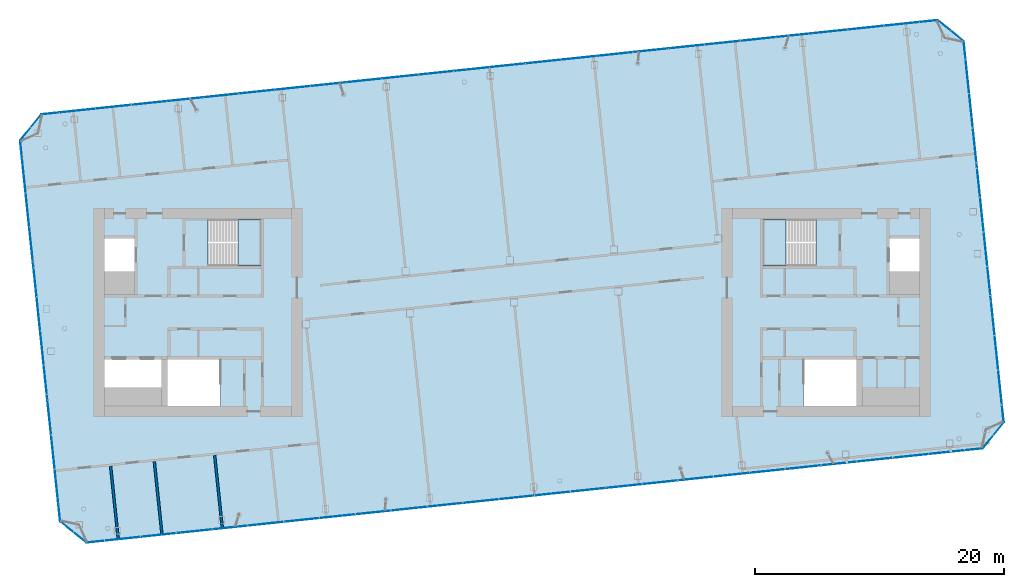
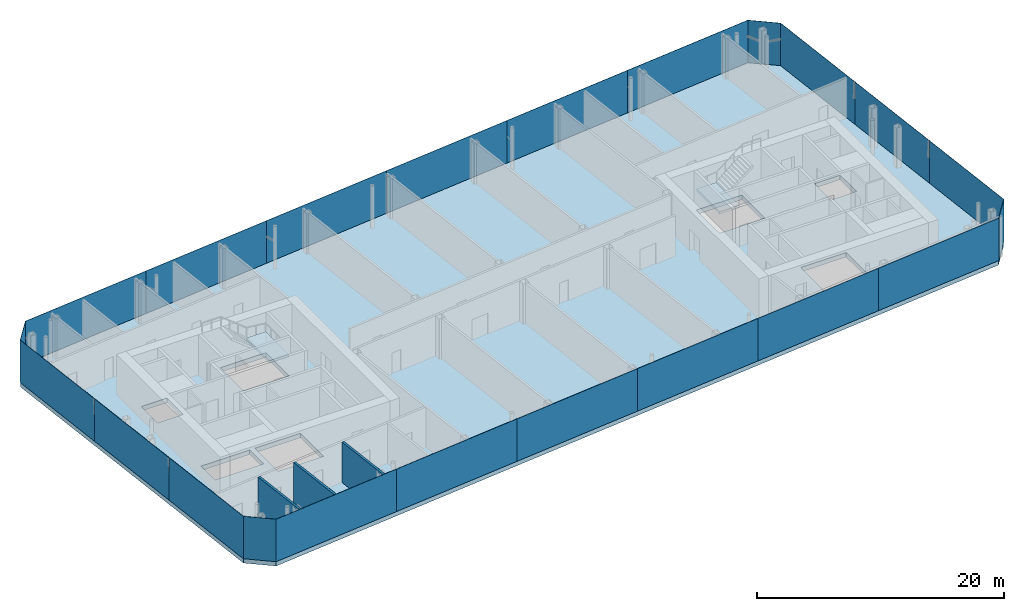
# One storey, part 7 of 28: 22 plates, 3 slabs, 3 walls, 14 elements without a shape of their own.
"""IFC4 building model written with IfcOpenShell, lengths in metres."""

from ifc_helpers import new_model, si_unit, direction, frame, frame_2d, origin, origin_2d, place, context, subcontext, project, spatial, polyline, rectangle, outline, extrude, material, layer, layer_set, type_object, element, aggregate, save


model = new_model("IFC4")

# Units and contexts
model_context = context("Model", 3, precision=1e-05, world=origin(), true_north=direction((0.0, 1.0)))
body_context = subcontext(model_context, "Body", "Model", "MODEL_VIEW")
ifc_project = project(units=[si_unit("LENGTHUNIT", "METRE"), si_unit("AREAUNIT", "SQUARE_METRE"), si_unit("VOLUMEUNIT", "CUBIC_METRE"), si_unit("PLANEANGLEUNIT", "RADIAN"), si_unit("MASSUNIT", "GRAM", prefix="KILO")], contexts=[model_context])

# Site, building, storey
site_placement = place(None, origin())
site = spatial("IfcSite", under=ifc_project, at=site_placement, CompositionType="ELEMENT")
building_placement = place(site_placement, origin())
building = spatial("IfcBuilding", under=site, at=building_placement, Name="Hakoniwa Tower and Hamabe Station Hall", CompositionType="ELEMENT")
storey_placement = place(building_placement, frame((0.0, 0.0, 280.800048828125)))
storey = spatial("IfcBuildingStorey", under=building, at=storey_placement, Name="L78", CompositionType="ELEMENT", Elevation=280.800048828125)

# Stair, slab
ifc_material_1 = material(Name="Concrete C40", Category="concrete")
stair_type = type_object("IfcStairType", Name="ESCAPE STAIR 1800", PredefinedType="HALF_TURN_STAIR", material=ifc_material_1)
stair_1_placement = place(storey_placement, origin())
stair_1 = element("IfcStair", 1, at=stair_1_placement, inside=storey, type_object=stair_type, Name="Escape stair ST-1 L78", PredefinedType="HALF_TURN_STAIR")
ifc_material_2 = material(Name="Concrete C40", Category="concrete")
ifc_layer_1 = layer(ifc_material_2, 0.25)
ifc_layer_set_1 = layer_set([ifc_layer_1], Name="CORE STAIR LANDING 250")
slab_type_1 = type_object("IfcSlabType", Name="CORE STAIR LANDING 250", PredefinedType="LANDING", material=ifc_layer_set_1)
slab_1_placement = place(storey_placement, frame((0.0, 0.0, 1.849853515625)))
slab_1 = element("IfcSlab", 2, at=slab_1_placement, type_object=slab_type_1, Name="ST-1 landing 1", PredefinedType="LANDING", context=body_context, shape_type="SweptSolid", body=[
    extrude(outline(polyline([(-22.0, 3.75), (-20.14990234375, 3.75), (-20.14990234375, 7.5), (-22.0, 7.5), (-22.0, 3.75)])), origin(), (0.0, 0.0, 1.0), 0.25),
])
aggregate(stair_1, [slab_1])

stair_2_placement = place(storey_placement, origin())
stair_2 = element("IfcStair", 3, at=stair_2_placement, inside=storey, type_object=stair_type, Name="Escape stair ST-3 L78", PredefinedType="HALF_TURN_STAIR")
slab_2_placement = place(storey_placement, frame((0.0, 0.0, 1.849853515625)))
slab_2 = element("IfcSlab", 4, at=slab_2_placement, type_object=slab_type_1, Name="ST-3 landing 1", PredefinedType="LANDING", context=body_context, shape_type="SweptSolid", body=[
    extrude(outline(polyline([(22.0, 3.75), (20.14990234375, 3.75), (20.14990234375, 7.5), (22.0, 7.5), (22.0, 3.75)])), origin(), (0.0, 0.0, 1.0), 0.25),
])
aggregate(stair_2, [slab_2])

# Slab
ifc_material_3 = material(Name="Concrete C40", Category="concrete")
ifc_layer_2 = layer(ifc_material_3, 0.449951171875)
ifc_layer_set_2 = layer_set([ifc_layer_2], Name="CROWN FLOOR SLAB 450")
slab_type_2 = type_object("IfcSlabType", Name="CROWN FLOOR SLAB 450", PredefinedType="FLOOR", material=ifc_layer_set_2)
slab_3_placement = place(storey_placement, frame((0.0, 0.0, -0.449951171875)))
element("IfcSlab", 5, at=slab_3_placement, inside=storey, type_object=slab_type_2, Name="Floor slab L78", PredefinedType="FLOOR", context=body_context, shape_type="SweptSolid", body=[
    extrude(outline(polyline([(36.25390625, 21.772705078125), (34.17431640625, 23.45703125), (-37.78466796875, 15.893798828125), (-39.46875, 13.81396484375), (-36.25390625, -16.772705078125), (-34.17431640625, -18.45703125), (37.78466796875, -10.893798828125), (39.46875, -8.81396484375), (36.25390625, 21.772705078125)]), holes=[polyline([(-32.699951171875, 3.300048828125), (-32.699951171875, 5.949951171875), (-30.300048828125, 5.949951171875), (-30.300048828125, 3.300048828125), (-32.699951171875, 3.300048828125)]), polyline([(-32.699951171875, -6.0), (-32.699951171875, -3.75), (-28.14990234375, -3.75), (-28.14990234375, -6.0), (-32.699951171875, -6.0)]), polyline([(-24.389892578125, 3.75), (-24.389892578125, 7.5), (-20.14990234375, 7.5), (-20.14990234375, 3.75), (-24.389892578125, 3.75)]), polyline([(-27.64990234375, -7.5), (-27.64990234375, -3.75), (-23.409912109375, -3.75), (-23.409912109375, -7.5), (-27.64990234375, -7.5)]), polyline([(30.300048828125, 3.300048828125), (30.300048828125, 5.949951171875), (32.699951171875, 5.949951171875), (32.699951171875, 3.300048828125), (30.300048828125, 3.300048828125)]), polyline([(20.14990234375, 3.75), (20.14990234375, 7.5), (24.389892578125, 7.5), (24.389892578125, 3.75), (20.14990234375, 3.75)]), polyline([(23.409912109375, -7.5), (23.409912109375, -3.75), (27.64990234375, -3.75), (27.64990234375, -7.5), (23.409912109375, -7.5)])]), origin(), (0.0, 0.0, 1.0), 0.449951171875),
])

# Curtain wall, plate
ifc_material_4 = material(Name="Dark low-e laminated glass", Category="glass")
ifc_layer_3 = layer(ifc_material_4, 0.199951171875)
ifc_layer_set_3 = layer_set([ifc_layer_3], Name="CW-4 CROWN FACETS")
curtain_wall_type = type_object("IfcCurtainWallType", Name="CW-4 CROWN FACETS", PredefinedType="NOTDEFINED", material=ifc_layer_set_3)
curtain_wall_1_placement = place(storey_placement, origin())
curtain_wall_1 = element("IfcCurtainWall", 6, at=curtain_wall_1_placement, inside=storey, type_object=curtain_wall_type, Name="Crown facet L78", PredefinedType="NOTDEFINED")
ifc_material_5 = material(Name="Dark low-e laminated glass", Category="glass")
ifc_layer_4 = layer(ifc_material_5, 0.030029296875)
ifc_layer_set_4 = layer_set([ifc_layer_4], Name="CW-4 CROWN GLASS FACET")
plate_type = type_object("IfcPlateType", Name="CW-4 CROWN GLASS FACET", PredefinedType="CURTAIN_PANEL", material=ifc_layer_set_4)
plate_1_placement = place(storey_placement, frame((35.2236328125, 22.62646484375, 0.0), z_axis=(0.0, 0.0, 1.0), x_axis=(-0.777146049239, 0.629320282648, 0.0)))
plate_1 = element("IfcPlate", 7, at=plate_1_placement, type_object=plate_type, Name="Crown glass facet", PredefinedType="CURTAIN_PANEL", context=body_context, shape_type="SweptSolid", body=[
    extrude(rectangle(XDim=2.701171875, YDim=0.030029296875, at=origin_2d()), origin(), (0.0, 0.0, 1.0), 4.199951171875),
])
aggregate(curtain_wall_1, [plate_1])

# Curtain wall, plates
curtain_wall_2_placement = place(storey_placement, origin())
curtain_wall_2 = element("IfcCurtainWall", 8, at=curtain_wall_2_placement, inside=storey, type_object=curtain_wall_type, Name="Crown facet L78", PredefinedType="NOTDEFINED")
plate_2_placement = place(storey_placement, frame((28.186279296875, 22.8427734375, 0.0), z_axis=(0.0, 0.0, 1.0), x_axis=(-0.994521896233, -0.10452845504, 0.0)))
plate_2 = element("IfcPlate", 9, at=plate_2_placement, type_object=plate_type, Name="Crown glass facet", PredefinedType="CURTAIN_PANEL", context=body_context, shape_type="SweptSolid", body=[
    extrude(rectangle(XDim=12.063232421875, YDim=0.030029296875, at=origin_2d()), origin(), (0.0, 0.0, 1.0), 4.199951171875),
])
plate_3_placement = place(storey_placement, frame((4.19189453125, 20.32080078125, 0.0), z_axis=(0.0, 0.0, 1.0), x_axis=(-0.994521896233, -0.10452845504, 0.0)))
plate_3 = element("IfcPlate", 10, at=plate_3_placement, type_object=plate_type, Name="Crown glass facet", PredefinedType="CURTAIN_PANEL", context=body_context, shape_type="SweptSolid", body=[
    extrude(rectangle(XDim=12.063232421875, YDim=0.030029296875, at=origin_2d()), origin(), (0.0, 0.0, 1.0), 4.199951171875),
])
plate_4_placement = place(storey_placement, frame((-19.802734375, 17.798828125, 0.0), z_axis=(0.0, 0.0, 1.0), x_axis=(-0.994521896233, -0.10452845504, 0.0)))
plate_4 = element("IfcPlate", 11, at=plate_4_placement, type_object=plate_type, Name="Crown glass facet", PredefinedType="CURTAIN_PANEL", context=body_context, shape_type="SweptSolid", body=[
    extrude(rectangle(XDim=12.063232421875, YDim=0.030029296875, at=origin_2d()), origin(), (0.0, 0.0, 1.0), 4.199951171875),
])
aggregate(curtain_wall_2, [plate_2, plate_3, plate_4])

curtain_wall_3_placement = place(storey_placement, origin())
curtain_wall_3 = element("IfcCurtainWall", 12, at=curtain_wall_3_placement, inside=storey, type_object=curtain_wall_type, Name="Crown facet L78", PredefinedType="NOTDEFINED")
plate_5_placement = place(storey_placement, frame((16.189208984375, 21.581787109375, 0.0), z_axis=(0.0, 0.0, 1.0), x_axis=(-0.994521896233, -0.10452845504, 0.0)))
plate_5 = element("IfcPlate", 13, at=plate_5_placement, type_object=plate_type, Name="Crown glass facet", PredefinedType="CURTAIN_PANEL", context=body_context, shape_type="SweptSolid", body=[
    extrude(rectangle(XDim=12.063232421875, YDim=0.030029296875, at=origin_2d()), origin(), (0.0, 0.0, 1.0), 4.199951171875),
])
plate_6_placement = place(storey_placement, frame((-7.805419921875, 19.059814453125, 0.0), z_axis=(0.0, 0.0, 1.0), x_axis=(-0.994521896233, -0.10452845504, 0.0)))
plate_6 = element("IfcPlate", 14, at=plate_6_placement, type_object=plate_type, Name="Crown glass facet", PredefinedType="CURTAIN_PANEL", context=body_context, shape_type="SweptSolid", body=[
    extrude(rectangle(XDim=12.063232421875, YDim=0.030029296875, at=origin_2d()), origin(), (0.0, 0.0, 1.0), 4.199951171875),
])
plate_7_placement = place(storey_placement, frame((-31.7998046875, 16.537841796875, 0.0), z_axis=(0.0, 0.0, 1.0), x_axis=(-0.994521896233, -0.10452845504, 0.0)))
plate_7 = element("IfcPlate", 15, at=plate_7_placement, type_object=plate_type, Name="Crown glass facet", PredefinedType="CURTAIN_PANEL", context=body_context, shape_type="SweptSolid", body=[
    extrude(rectangle(XDim=12.063232421875, YDim=0.030029296875, at=origin_2d()), origin(), (0.0, 0.0, 1.0), 4.199951171875),
])
aggregate(curtain_wall_3, [plate_5, plate_6, plate_7])

# Curtain wall, plate
curtain_wall_4_placement = place(storey_placement, origin())
curtain_wall_4 = element("IfcCurtainWall", 16, at=curtain_wall_4_placement, inside=storey, type_object=curtain_wall_type, Name="Crown facet L78", PredefinedType="NOTDEFINED")
plate_8_placement = place(storey_placement, frame((-38.638427734375, 14.86328125, 0.0), z_axis=(0.0, 0.0, 1.0), x_axis=(-0.62932019759, -0.777146118118, 0.0)))
plate_8 = element("IfcPlate", 17, at=plate_8_placement, type_object=plate_type, Name="Crown glass facet", PredefinedType="CURTAIN_PANEL", context=body_context, shape_type="SweptSolid", body=[
    extrude(rectangle(XDim=2.701171875, YDim=0.030029296875, at=origin_2d()), origin(), (0.0, 0.0, 1.0), 4.199951171875),
])
aggregate(curtain_wall_4, [plate_8])

# Curtain wall, plates
curtain_wall_5_placement = place(storey_placement, origin())
curtain_wall_5 = element("IfcCurtainWall", 18, at=curtain_wall_5_placement, inside=storey, type_object=curtain_wall_type, Name="Crown facet L78", PredefinedType="NOTDEFINED")
plate_9_placement = place(storey_placement, frame((-38.94873046875, 8.722900390625, 0.0), z_axis=(0.0, 0.0, 1.0), x_axis=(0.104528443376, -0.994521897459, 0.0)))
plate_9 = element("IfcPlate", 19, at=plate_9_placement, type_object=plate_type, Name="Crown glass facet", PredefinedType="CURTAIN_PANEL", context=body_context, shape_type="SweptSolid", body=[
    extrude(rectangle(XDim=10.260009765625, YDim=0.030029296875, at=origin_2d()), origin(), (0.0, 0.0, 1.0), 4.199951171875),
])
plate_10_placement = place(storey_placement, frame((-36.803955078125, -11.684814453125, 0.0), z_axis=(0.0, 0.0, 1.0), x_axis=(0.104528443376, -0.994521897459, 0.0)))
plate_10 = element("IfcPlate", 20, at=plate_10_placement, type_object=plate_type, Name="Crown glass facet", PredefinedType="CURTAIN_PANEL", context=body_context, shape_type="SweptSolid", body=[
    extrude(rectangle(XDim=10.260009765625, YDim=0.030029296875, at=origin_2d()), origin(), (0.0, 0.0, 1.0), 4.199951171875),
])
aggregate(curtain_wall_5, [plate_9, plate_10])

# Curtain wall, plate
curtain_wall_6_placement = place(storey_placement, origin())
curtain_wall_6 = element("IfcCurtainWall", 21, at=curtain_wall_6_placement, inside=storey, type_object=curtain_wall_type, Name="Crown facet L78", PredefinedType="NOTDEFINED")
plate_11_placement = place(storey_placement, frame((-37.87646484375, -1.48095703125, 0.0), z_axis=(0.0, 0.0, 1.0), x_axis=(0.104528443376, -0.994521897459, 0.0)))
plate_11 = element("IfcPlate", 22, at=plate_11_placement, type_object=plate_type, Name="Crown glass facet", PredefinedType="CURTAIN_PANEL", context=body_context, shape_type="SweptSolid", body=[
    extrude(rectangle(XDim=10.260009765625, YDim=0.030029296875, at=origin_2d()), origin(), (0.0, 0.0, 1.0), 4.199951171875),
])
aggregate(curtain_wall_6, [plate_11])

curtain_wall_7_placement = place(storey_placement, origin())
curtain_wall_7 = element("IfcCurtainWall", 23, at=curtain_wall_7_placement, inside=storey, type_object=curtain_wall_type, Name="Crown facet L78", PredefinedType="NOTDEFINED")
plate_12_placement = place(storey_placement, frame((-35.2236328125, -17.62646484375, 0.0), z_axis=(0.0, 0.0, 1.0), x_axis=(0.777146049239, -0.629320282648, 0.0)))
plate_12 = element("IfcPlate", 24, at=plate_12_placement, type_object=plate_type, Name="Crown glass facet", PredefinedType="CURTAIN_PANEL", context=body_context, shape_type="SweptSolid", body=[
    extrude(rectangle(XDim=2.701171875, YDim=0.030029296875, at=origin_2d()), origin(), (0.0, 0.0, 1.0), 4.199951171875),
])
aggregate(curtain_wall_7, [plate_12])

# Curtain wall, plates
curtain_wall_8_placement = place(storey_placement, origin())
curtain_wall_8 = element("IfcCurtainWall", 25, at=curtain_wall_8_placement, inside=storey, type_object=curtain_wall_type, Name="Crown facet L78", PredefinedType="NOTDEFINED")
plate_13_placement = place(storey_placement, frame((-28.186279296875, -17.8427734375, 0.0), z_axis=(0.0, 0.0, 1.0), x_axis=(0.994521896233, 0.10452845504, 0.0)))
plate_13 = element("IfcPlate", 26, at=plate_13_placement, type_object=plate_type, Name="Crown glass facet", PredefinedType="CURTAIN_PANEL", context=body_context, shape_type="SweptSolid", body=[
    extrude(rectangle(XDim=12.063232421875, YDim=0.030029296875, at=origin_2d()), origin(), (0.0, 0.0, 1.0), 4.199951171875),
])
plate_14_placement = place(storey_placement, frame((-4.19189453125, -15.32080078125, 0.0), z_axis=(0.0, 0.0, 1.0), x_axis=(0.994521896233, 0.10452845504, 0.0)))
plate_14 = element("IfcPlate", 27, at=plate_14_placement, type_object=plate_type, Name="Crown glass facet", PredefinedType="CURTAIN_PANEL", context=body_context, shape_type="SweptSolid", body=[
    extrude(rectangle(XDim=12.063232421875, YDim=0.030029296875, at=origin_2d()), origin(), (0.0, 0.0, 1.0), 4.199951171875),
])
plate_15_placement = place(storey_placement, frame((19.802734375, -12.798828125, 0.0), z_axis=(0.0, 0.0, 1.0), x_axis=(0.994521896233, 0.10452845504, 0.0)))
plate_15 = element("IfcPlate", 28, at=plate_15_placement, type_object=plate_type, Name="Crown glass facet", PredefinedType="CURTAIN_PANEL", context=body_context, shape_type="SweptSolid", body=[
    extrude(rectangle(XDim=12.063232421875, YDim=0.030029296875, at=origin_2d()), origin(), (0.0, 0.0, 1.0), 4.199951171875),
])
aggregate(curtain_wall_8, [plate_13, plate_14, plate_15])

curtain_wall_9_placement = place(storey_placement, origin())
curtain_wall_9 = element("IfcCurtainWall", 29, at=curtain_wall_9_placement, inside=storey, type_object=curtain_wall_type, Name="Crown facet L78", PredefinedType="NOTDEFINED")
plate_16_placement = place(storey_placement, frame((-16.189208984375, -16.581787109375, 0.0), z_axis=(0.0, 0.0, 1.0), x_axis=(0.994521896233, 0.10452845504, 0.0)))
plate_16 = element("IfcPlate", 30, at=plate_16_placement, type_object=plate_type, Name="Crown glass facet", PredefinedType="CURTAIN_PANEL", context=body_context, shape_type="SweptSolid", body=[
    extrude(rectangle(XDim=12.063232421875, YDim=0.030029296875, at=origin_2d()), origin(), (0.0, 0.0, 1.0), 4.199951171875),
])
plate_17_placement = place(storey_placement, frame((7.805419921875, -14.059814453125, 0.0), z_axis=(0.0, 0.0, 1.0), x_axis=(0.994521896233, 0.10452845504, 0.0)))
plate_17 = element("IfcPlate", 31, at=plate_17_placement, type_object=plate_type, Name="Crown glass facet", PredefinedType="CURTAIN_PANEL", context=body_context, shape_type="SweptSolid", body=[
    extrude(rectangle(XDim=12.063232421875, YDim=0.030029296875, at=origin_2d()), origin(), (0.0, 0.0, 1.0), 4.199951171875),
])
plate_18_placement = place(storey_placement, frame((31.7998046875, -11.537841796875, 0.0), z_axis=(0.0, 0.0, 1.0), x_axis=(0.994521896233, 0.10452845504, 0.0)))
plate_18 = element("IfcPlate", 32, at=plate_18_placement, type_object=plate_type, Name="Crown glass facet", PredefinedType="CURTAIN_PANEL", context=body_context, shape_type="SweptSolid", body=[
    extrude(rectangle(XDim=12.063232421875, YDim=0.030029296875, at=origin_2d()), origin(), (0.0, 0.0, 1.0), 4.199951171875),
])
aggregate(curtain_wall_9, [plate_16, plate_17, plate_18])

# Curtain wall, plate
curtain_wall_10_placement = place(storey_placement, origin())
curtain_wall_10 = element("IfcCurtainWall", 33, at=curtain_wall_10_placement, inside=storey, type_object=curtain_wall_type, Name="Crown facet L78", PredefinedType="NOTDEFINED")
plate_19_placement = place(storey_placement, frame((38.638427734375, -9.86328125, 0.0), z_axis=(0.0, 0.0, 1.0), x_axis=(0.62932019759, 0.777146118118, 0.0)))
plate_19 = element("IfcPlate", 34, at=plate_19_placement, type_object=plate_type, Name="Crown glass facet", PredefinedType="CURTAIN_PANEL", context=body_context, shape_type="SweptSolid", body=[
    extrude(rectangle(XDim=2.701171875, YDim=0.030029296875, at=origin_2d()), origin(), (0.0, 0.0, 1.0), 4.199951171875),
])
aggregate(curtain_wall_10, [plate_19])

# Curtain wall, plates
curtain_wall_11_placement = place(storey_placement, origin())
curtain_wall_11 = element("IfcCurtainWall", 35, at=curtain_wall_11_placement, inside=storey, type_object=curtain_wall_type, Name="Crown facet L78", PredefinedType="NOTDEFINED")
plate_20_placement = place(storey_placement, frame((38.94873046875, -3.722900390625, 0.0), z_axis=(0.0, 0.0, 1.0), x_axis=(-0.104528443376, 0.994521897459, 0.0)))
plate_20 = element("IfcPlate", 36, at=plate_20_placement, type_object=plate_type, Name="Crown glass facet", PredefinedType="CURTAIN_PANEL", context=body_context, shape_type="SweptSolid", body=[
    extrude(rectangle(XDim=10.260009765625, YDim=0.030029296875, at=origin_2d()), origin(), (0.0, 0.0, 1.0), 4.199951171875),
])
plate_21_placement = place(storey_placement, frame((36.803955078125, 16.684814453125, 0.0), z_axis=(0.0, 0.0, 1.0), x_axis=(-0.104528443376, 0.994521897459, 0.0)))
plate_21 = element("IfcPlate", 37, at=plate_21_placement, type_object=plate_type, Name="Crown glass facet", PredefinedType="CURTAIN_PANEL", context=body_context, shape_type="SweptSolid", body=[
    extrude(rectangle(XDim=10.260009765625, YDim=0.030029296875, at=origin_2d()), origin(), (0.0, 0.0, 1.0), 4.199951171875),
])
aggregate(curtain_wall_11, [plate_20, plate_21])

# Curtain wall, plate
curtain_wall_12_placement = place(storey_placement, origin())
curtain_wall_12 = element("IfcCurtainWall", 38, at=curtain_wall_12_placement, inside=storey, type_object=curtain_wall_type, Name="Crown facet L78", PredefinedType="NOTDEFINED")
plate_22_placement = place(storey_placement, frame((37.87646484375, 6.48095703125, 0.0), z_axis=(0.0, 0.0, 1.0), x_axis=(-0.104528443376, 0.994521897459, 0.0)))
plate_22 = element("IfcPlate", 39, at=plate_22_placement, type_object=plate_type, Name="Crown glass facet", PredefinedType="CURTAIN_PANEL", context=body_context, shape_type="SweptSolid", body=[
    extrude(rectangle(XDim=10.260009765625, YDim=0.030029296875, at=origin_2d()), origin(), (0.0, 0.0, 1.0), 4.199951171875),
])
aggregate(curtain_wall_12, [plate_22])

# Walls
ifc_material_6 = material(Name="Fire-rated gypsum board partition", Category="gypsum")
ifc_layer_5 = layer(ifc_material_6, 0.199951171875)
ifc_layer_set_5 = layer_set([ifc_layer_5], Name="Party Wall 200")
wall_type = type_object("IfcWallType", Name="Party Wall 200", PredefinedType="PARTITIONING", material=ifc_layer_set_5)
for number, where, z_axis, x_axis, name in (
    (40, (-31.607666015625, -18.21728515625, 0.0), (0.0, 0.0, 1.0), (-0.10453655107, 0.994521045273, 0.0), "GW-L78-007"),
    (41, (-28.096923828125, -17.848388671875, 0.0), (0.0, 0.0, 1.0), (-0.10453655107, 0.994521045273, 0.0), "GW-L78-010"),
    (42, (-23.253662109375, -17.33935546875, 0.0), (0.0, 0.0, 1.0), (-0.10453655107, 0.994521045273, 0.0), "GW-L78-011"),
):
    element("IfcWall", number, at=place(storey_placement, frame(where, z_axis=z_axis, x_axis=x_axis)), inside=storey, type_object=wall_type, Name=name, PredefinedType="PARTITIONING", context=body_context, shape_type="SweptSolid", body=[
        extrude(rectangle(XDim=5.915771484375, YDim=0.199951171875, at=frame_2d((2.9580078125, 0.0))), origin(), (0.0, 0.0, 1.0), 4.0),
    ])

save(model, "model.ifc")
